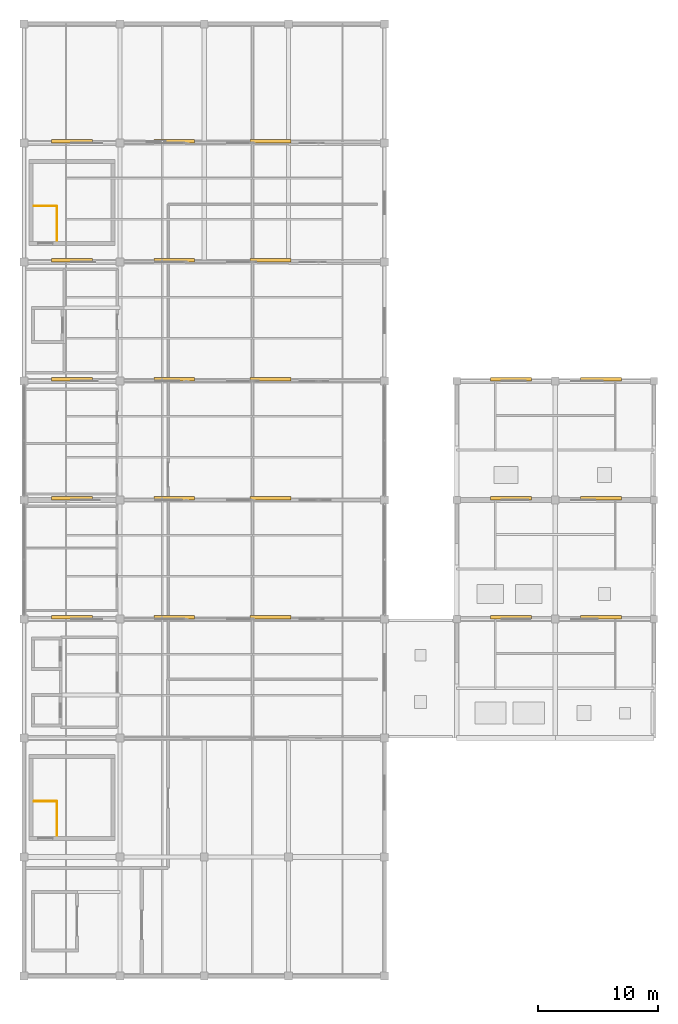
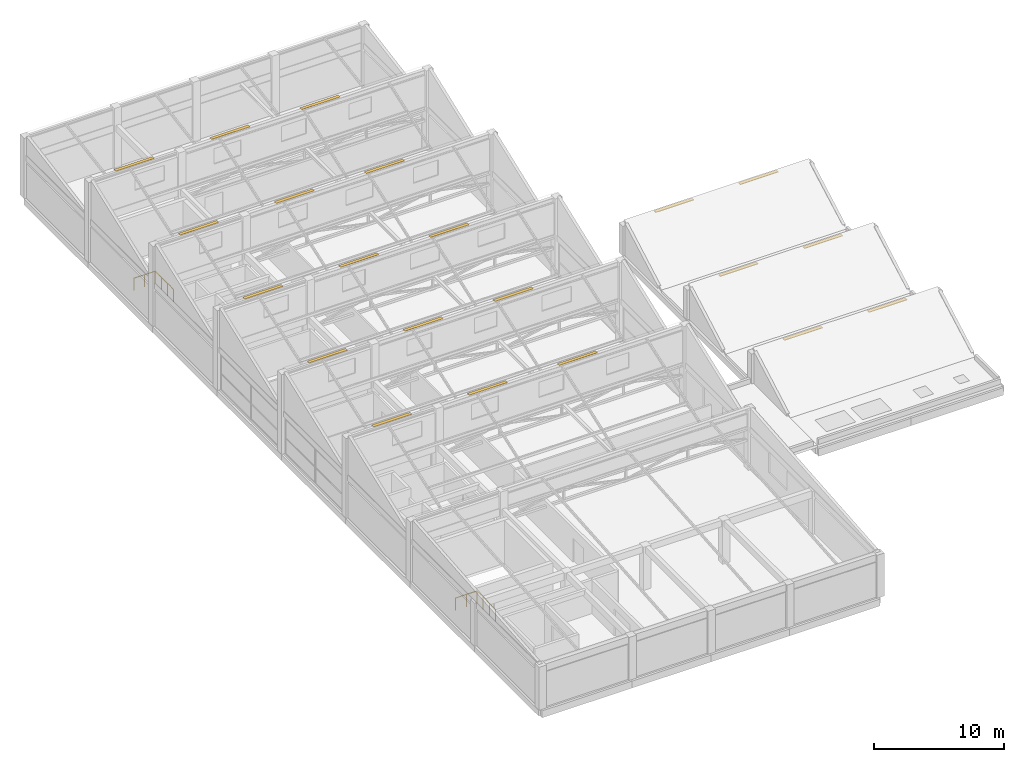
# One storey, part 35 of 35: 21 shading devices, 2 railings.
"""IFC4 building model written with IfcOpenShell, lengths in metres."""

from ifc_helpers import new_model, si_unit, direction, frame, origin, origin_2d, place, context, subcontext, project, spatial, rectangle, circle, extrude, material, type_object, element, save


model = new_model("IFC4")

# Units and contexts
model_context = context("Model", 3, precision=1e-05, world=origin(), true_north=direction((0.0, 1.0)))
body_context = subcontext(model_context, "Body", "Model", "MODEL_VIEW")
ifc_project = project(units=[si_unit("LENGTHUNIT", "METRE"), si_unit("AREAUNIT", "SQUARE_METRE"), si_unit("VOLUMEUNIT", "CUBIC_METRE"), si_unit("PLANEANGLEUNIT", "RADIAN"), si_unit("MASSUNIT", "GRAM", prefix="KILO")], contexts=[model_context])

# Site, building, storey
site_placement = place(None, origin())
site = spatial("IfcSite", under=ifc_project, at=site_placement, CompositionType="ELEMENT")
building_placement = place(site_placement, origin())
building = spatial("IfcBuilding", under=site, at=building_placement, Name="Sillaruma Civic Art Gallery", CompositionType="ELEMENT")
storey_placement = place(building_placement, frame((0.0, 0.0, 74.4599609375)))
storey = spatial("IfcBuildingStorey", under=building, at=storey_placement, Name="L15", CompositionType="ELEMENT", Elevation=74.4599609375)

# Railings
ifc_material_1 = material(Name="Stainless Steel AISI 316", Category="steel")
railing_type = type_object("IfcRailingType", Name="RAL-BAL-1150", PredefinedType="BALUSTRADE", material=ifc_material_1)
for number, where, name in (
    (1, (64.739990234375, 80.989990234375, 0.0), "Stair Floor Edge Guard (ST-02:L15)"),
    (2, (64.739990234375, 31.489990234375, 0.0), "Stair Floor Edge Guard (ST-03:L15)"),
):
    element("IfcRailing", number, at=place(storey_placement, frame(where)), inside=storey, type_object=railing_type, Name=name, PredefinedType="BALUSTRADE", context=body_context, shape_type="SweptSolid", body=[
        extrude(circle(Radius=0.02392578125, at=origin_2d()), frame((0.0, 0.0, 1.1259765625), z_axis=(0.0, 1.0, 0.0), x_axis=(-1.0, 0.0, 0.0)), (0.0, 0.0, 1.0), 2.85009765625),
        extrude(circle(Radius=0.02392578125, at=origin_2d()), frame((0.0, 2.85009765625, 1.1259765625), z_axis=(-1.0, 0.0, 0.0), x_axis=(0.0, -1.0, 0.0)), (0.0, 0.0, 1.0), 1.89990234375),
        extrude(circle(Radius=0.02099609375, at=origin_2d()), origin(), (0.0, 0.0, 1.0), 1.101806640625),
        extrude(circle(Radius=0.02099609375, at=origin_2d()), frame((0.0, 0.949951171875, 0.0)), (0.0, 0.0, 1.0), 1.101806640625),
        extrude(circle(Radius=0.02099609375, at=origin_2d()), frame((0.0, 1.900146484375, 0.0)), (0.0, 0.0, 1.0), 1.101806640625),
        extrude(circle(Radius=0.02099609375, at=origin_2d()), frame((0.0, 2.85009765625, 0.0)), (0.0, 0.0, 1.0), 1.101806640625),
        extrude(circle(Radius=0.02099609375, at=origin_2d()), frame((-0.949951171875, 2.85009765625, 0.0)), (0.0, 0.0, 1.0), 1.101806640625),
        extrude(circle(Radius=0.02099609375, at=origin_2d()), frame((-1.89990234375, 2.85009765625, 0.0)), (0.0, 0.0, 1.0), 1.101806640625),
    ])

# Shading devices
ifc_material_2 = material(Name="Anodised Extruded Aluminium 6063-T6", Category="aluminium")
shading_device_type = type_object("IfcShadingDeviceType", Name="SHD-LOU-01", PredefinedType="USERDEFINED", material=ifc_material_2)
for number, where, z_axis, x_axis, name in (
    (3, (66.0, 49.639892578125, 7.429931640625), (0.0, 0.0, 1.0), (1.0, 0.0, 0.0), "Sawtooth North-Light UV Louvre Baffle (1.1)"),
    (4, (74.5, 49.639892578125, 7.429931640625), (0.0, 0.0, 1.0), (1.0, 0.0, 0.0), "Sawtooth North-Light UV Louvre Baffle (1.2)"),
    (5, (82.5, 49.639892578125, 7.429931640625), (0.0, 0.0, 1.0), (1.0, 0.0, 0.0), "Sawtooth North-Light UV Louvre Baffle (1.3)"),
    (6, (66.0, 59.5400390625, 7.429931640625), (0.0, 0.0, 1.0), (1.0, 0.0, 0.0), "Sawtooth North-Light UV Louvre Baffle (2.1)"),
    (7, (74.5, 59.5400390625, 7.429931640625), (0.0, 0.0, 1.0), (1.0, 0.0, 0.0), "Sawtooth North-Light UV Louvre Baffle (2.2)"),
    (8, (82.5, 59.5400390625, 7.429931640625), (0.0, 0.0, 1.0), (1.0, 0.0, 0.0), "Sawtooth North-Light UV Louvre Baffle (2.3)"),
    (9, (66.0, 69.43994140625, 7.429931640625), (0.0, 0.0, 1.0), (1.0, 0.0, 0.0), "Sawtooth North-Light UV Louvre Baffle (3.1)"),
    (10, (74.5, 69.43994140625, 7.429931640625), (0.0, 0.0, 1.0), (1.0, 0.0, 0.0), "Sawtooth North-Light UV Louvre Baffle (3.2)"),
    (11, (82.5, 69.43994140625, 7.429931640625), (0.0, 0.0, 1.0), (1.0, 0.0, 0.0), "Sawtooth North-Light UV Louvre Baffle (3.3)"),
    (12, (66.0, 79.340087890625, 7.429931640625), (0.0, 0.0, 1.0), (1.0, 0.0, 0.0), "Sawtooth North-Light UV Louvre Baffle (4.1)"),
    (13, (74.5, 79.340087890625, 7.429931640625), (0.0, 0.0, 1.0), (1.0, 0.0, 0.0), "Sawtooth North-Light UV Louvre Baffle (4.2)"),
    (14, (82.5, 79.340087890625, 7.429931640625), (0.0, 0.0, 1.0), (1.0, 0.0, 0.0), "Sawtooth North-Light UV Louvre Baffle (4.3)"),
    (15, (66.0, 89.239990234375, 7.429931640625), (0.0, 0.0, 1.0), (1.0, 0.0, 0.0), "Sawtooth North-Light UV Louvre Baffle (5.1)"),
    (16, (74.5, 89.239990234375, 7.429931640625), (0.0, 0.0, 1.0), (1.0, 0.0, 0.0), "Sawtooth North-Light UV Louvre Baffle (5.2)"),
    (17, (82.5, 89.239990234375, 7.429931640625), (0.0, 0.0, 1.0), (1.0, 0.0, 0.0), "Sawtooth North-Light UV Louvre Baffle (5.3)"),
    (18, (102.5, 49.639892578125, 2.7900390625), (0.0, 0.0, 1.0), (1.0, 0.0, 0.0), "East Crown Sawtooth UV Louvre Baffle (1.1)"),
    (19, (110.0, 49.639892578125, 2.7900390625), (0.0, 0.0, 1.0), (1.0, 0.0, 0.0), "East Crown Sawtooth UV Louvre Baffle (1.2)"),
    (20, (102.5, 59.5400390625, 2.7900390625), (0.0, 0.0, 1.0), (1.0, 0.0, 0.0), "East Crown Sawtooth UV Louvre Baffle (2.1)"),
    (21, (110.0, 59.5400390625, 2.7900390625), (0.0, 0.0, 1.0), (1.0, 0.0, 0.0), "East Crown Sawtooth UV Louvre Baffle (2.2)"),
    (22, (102.5, 69.43994140625, 2.7900390625), (0.0, 0.0, 1.0), (1.0, 0.0, 0.0), "East Crown Sawtooth UV Louvre Baffle (3.1)"),
    (23, (110.0, 69.43994140625, 2.7900390625), (0.0, 0.0, 1.0), (1.0, 0.0, 0.0), "East Crown Sawtooth UV Louvre Baffle (3.2)"),
):
    element("IfcShadingDevice", number, at=place(storey_placement, frame(where, z_axis=z_axis, x_axis=x_axis)), inside=storey, type_object=shading_device_type, Name=name, ObjectType="LOUVRE", PredefinedType="USERDEFINED", context=body_context, shape_type="SweptSolid", body=[
        extrude(rectangle(XDim=3.39990234375, YDim=0.280029296875, at=origin_2d()), origin(), (0.0, 0.0, 1.0), 0.06005859375),
    ])

save(model, "model.ifc")
